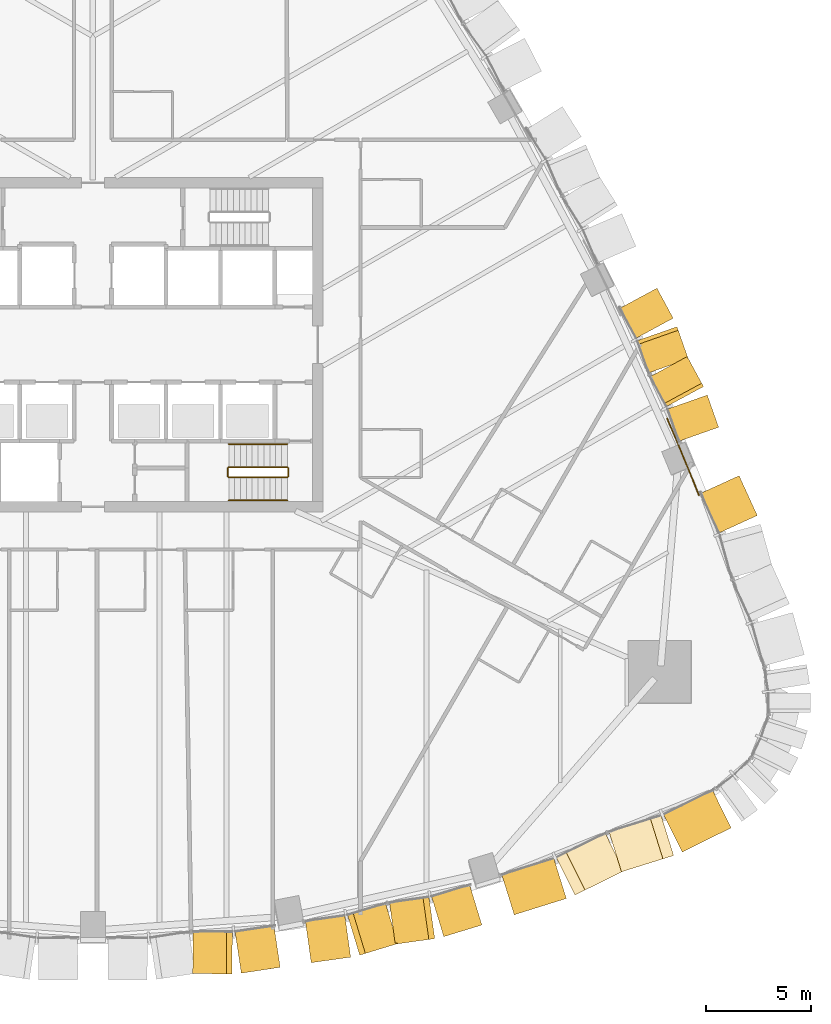
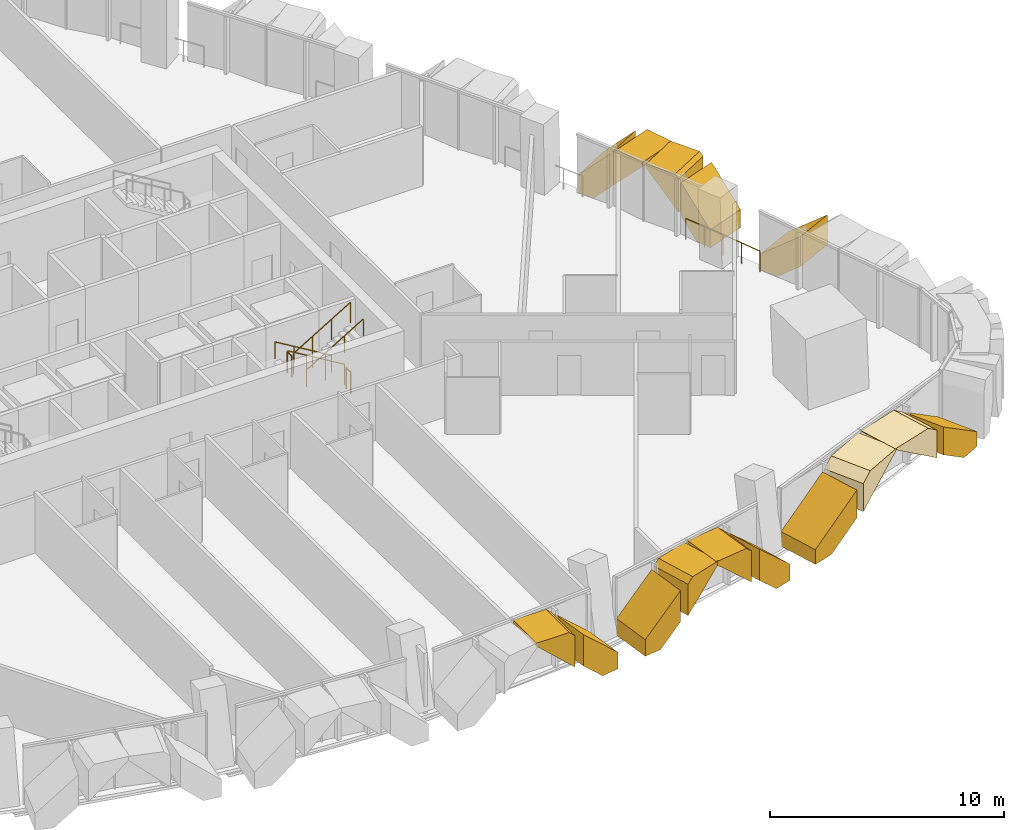
# One storey, part 20 of 23: 15 coverings, 7 railings.
"""IFC4 building model written with IfcOpenShell, lengths in metres."""

from ifc_helpers import new_model, si_unit, direction, frame, origin, origin_2d, place, context, subcontext, project, spatial, polyline, circle, outline, extrude, material, layer, layer_set, type_object, element, save


model = new_model("IFC4")

# Units and contexts
model_context = context("Model", 3, precision=1e-05, world=origin(), true_north=direction((0.0, 1.0)))
body_context = subcontext(model_context, "Body", "Model", "MODEL_VIEW")
ifc_project = project(units=[si_unit("LENGTHUNIT", "METRE"), si_unit("AREAUNIT", "SQUARE_METRE"), si_unit("VOLUMEUNIT", "CUBIC_METRE"), si_unit("PLANEANGLEUNIT", "RADIAN"), si_unit("MASSUNIT", "GRAM", prefix="KILO")], contexts=[model_context])

# Site, building, storey
site_placement = place(None, origin())
site = spatial("IfcSite", under=ifc_project, at=site_placement, CompositionType="ELEMENT")
building_placement = place(site_placement, origin())
building = spatial("IfcBuilding", under=site, at=building_placement, Name="Sierra Prisma Convention Tower", CompositionType="ELEMENT")
storey_placement = place(building_placement, frame((0.0, 0.0, 51.699951171875)))
storey = spatial("IfcBuildingStorey", under=building, at=storey_placement, Name="L08", CompositionType="ELEMENT", Elevation=51.699951171875)

# Coverings
ifc_material_1 = material(Name="Aluminium 6063-T6 bronze anodised", Category="aluminium")
ifc_layer = layer(ifc_material_1, 2.0)
ifc_layer_set = layer_set([ifc_layer], Name="Bronze crystal chevron frame")
covering_type = type_object("IfcCoveringType", Name="Bronze crystal chevron frame", PredefinedType="CLADDING", material=ifc_layer_set)
covering_1_placement = place(storey_placement, frame((4.7744140625, -30.073486328125, 2.97998046875), z_axis=(-0.006610033793, -0.999978151314, 6.593783e-05), x_axis=(-4.35851e-07, -6.5936389e-05, -0.999999997826)))
element("IfcCovering", 1, at=covering_1_placement, inside=storey, type_object=covering_type, Name="CW-2 chevron frame S4.2.1", PredefinedType="CLADDING", context=body_context, shape_type="SweptSolid", body=[
    extrude(outline(polyline([(0.0, 0.0), (0.15136718717094308, 8.013312184107456e-24), (1.8862304657534592, 1.8811447227413156), (0.2539062505519665, 1.8811447227413156), (-7.75512882839263e-09, 1.6059913391350362), (0.0, 0.0)])), origin(), (0.0, 0.0, -1.0), 2.0),
])
covering_2_placement = place(storey_placement, frame((8.957763671875, -29.77197265625, 0.0), z_axis=(0.149920700605, -0.988698023727, 3.7523139e-05), x_axis=(-5.625495e-06, 3.7099053e-05, 0.999999999296)))
element("IfcCovering", 2, at=covering_2_placement, inside=storey, type_object=covering_type, Name="CW-2 chevron frame S4.2.2", PredefinedType="CLADDING", context=body_context, shape_type="SweptSolid", body=[
    extrude(outline(polyline([(0.0, 0.0), (0.8715820306364124, 7.382586967035772e-22), (2.6062011714114575, 1.8811181541447954), (0.9738769538106025, 1.8811181541447954), (-3.5254647844872825e-09, 0.8250121813619046), (0.0, 0.0)])), origin(), (0.0, 0.0, -1.0), 2.0),
])
covering_3_placement = place(storey_placement, frame((10.439453125, -29.551513671875, 0.0), z_axis=(0.138166251373, -0.990409050253, 1.2551574e-05), x_axis=(0.990409050331, 0.138166251384, -4.72e-10)))
element("IfcCovering", 3, at=covering_3_placement, inside=storey, type_object=covering_type, Name="CW-2 chevron frame S5.1.1", PredefinedType="CLADDING", context=body_context, shape_type="SweptSolid", body=[
    extrude(outline(polyline([(0.0, 0.0), (0.8307169525799681, 2.117582368135751e-22), (1.9047446164574389, 0.9790039072265686), (1.904744615690779, 2.602539063348681), (-4.0915422160436747e-10, 0.8664550780567485), (0.0, 0.0)])), origin(), (0.0, 0.0, -1.0), 2.0),
])
covering_4_placement = place(storey_placement, frame((12.759033203125, -29.192626953125, 2.72119140625), z_axis=(0.291355212986, -0.956614938135, 1.697988e-06), x_axis=(4.94718e-07, -1.62432e-06, -0.999999999999)))
element("IfcCovering", 4, at=covering_4_placement, inside=storey, type_object=covering_type, Name="CW-2 chevron frame S5.1.2", PredefinedType="CLADDING", context=body_context, shape_type="SweptSolid", body=[
    extrude(outline(polyline([(0.0, 0.0), (1.6237792968726592, -8.596216022015917e-23), (-0.11230468750058424, 1.9046551959057154), (-0.2587890625003731, 1.9046551959057154), (-0.25878906250547706, 0.284053184411174), (0.0, 0.0)])), origin(), (0.0, 0.0, -1.0), 2.0),
])
covering_5_placement = place(storey_placement, frame((14.459716796875, -28.66455078125, 2.97998046875), z_axis=(0.138170286185, -0.990408487297, -1.7498073e-05), x_axis=(-2.417714e-06, 1.733024e-05, -0.999999999847)))
element("IfcCovering", 5, at=covering_5_placement, inside=storey, type_object=covering_type, Name="CW-2 chevron frame S5.2.1", PredefinedType="CLADDING", context=body_context, shape_type="SweptSolid", body=[
    extrude(outline(polyline([(0.0, 0.0), (0.14648437497757452, -6.203854594147708e-23), (1.882568359166032, 1.904744616953994), (0.25878906253961836, 1.904744616953994), (-5.420238547552506e-10, 1.6205194211270588), (0.0, 0.0)])), origin(), (0.0, 0.0, -1.0), 2.0),
])
covering_6_placement = place(storey_placement, frame((18.601318359375, -27.750732421875, 0.0), z_axis=(0.291449744574, -0.956586141294, 2.5937207e-05), x_axis=(-7.559392e-06, 2.4811173e-05, 0.999999999664)))
element("IfcCovering", 6, at=covering_6_placement, inside=storey, type_object=covering_type, Name="CW-2 chevron frame S5.2.2", PredefinedType="CLADDING", context=body_context, shape_type="SweptSolid", body=[
    extrude(outline(polyline([(0.0, 0.0), (0.866455077833551, 0.0), (2.602539062283199, 1.9049598829105046), (0.9790039065793069, 1.9049598829105046), (-1.675112812113858e-09, 0.8307631927911939), (0.0, 0.0)])), origin(), (0.0, 0.0, -1.0), 2.0),
])
covering_7_placement = place(storey_placement, frame((20.1474609375, -27.2607421875, 0.0), z_axis=(0.298063401418, -0.954546073991, 3.6925932e-05), x_axis=(0.954546074642, 0.298063401621, -2.985e-09)))
element("IfcCovering", 7, at=covering_7_placement, inside=storey, type_object=covering_type, Name="CW-2 chevron frame S6.1.1", PredefinedType="CLADDING", context=body_context, shape_type="SweptSolid", body=[
    extrude(outline(polyline([(0.0, 0.0), (1.011018278969593, 0.0), (2.611129635536901, 1.0817871179070193), (2.6111296312130166, 2.5302734450444957), (-2.283285092744067e-09, 0.7648925776035251), (0.0, 0.0)])), origin(), (0.0, 0.0, -1.0), 2.0),
])
covering_8_placement = place(storey_placement, frame((23.051513671875, -26.317626953125, 2.6181640625), z_axis=(0.443762835752, -0.896144264535, 5.2403261e-05), x_axis=(2.325462e-05, -4.6960882e-05, -0.999999998627)))
element("IfcCovering", 8, at=covering_8_placement, inside=storey, type_object=covering_type, Name="CW-2 chevron frame S6.1.2", PredefinedType="CLADDING", context=body_context, shape_type="SweptSolid", body=[
    extrude(outline(polyline([(0.0, 0.0), (1.4484863261361547, -4.907662574277113e-21), (-0.31713867243313715, 2.6110217442549515), (-0.3618164067467924, 2.6110217442549515), (-0.3618164108471728, 0.535109516050584), (0.0, 0.0)])), origin(), (0.0, 0.0, -1.0), 2.0),
])
covering_9_placement = place(storey_placement, frame((27.7685546875, -24.4267578125, 1.169677734375), z_axis=(0.298065473874, -0.954545422864, -9.4726929e-05), x_axis=(2.8234827e-05, -9.0421157e-05, 0.999999995513)))
element("IfcCovering", 9, at=covering_9_placement, inside=storey, type_object=covering_type, Name="CW-2 chevron frame S6.2.1", PredefinedType="CLADDING", context=body_context, shape_type="SweptSolid", body=[
    extrude(outline(polyline([(0.0, 0.0), (1.4484863216262276, 0.0), (1.8103027428979983, 0.5351181285106226), (1.8103027294995517, 2.611129638846765), (1.7656249953250025, 2.611129638846765), (0.0, 0.0)])), origin(), (0.0, 0.0, -1.0), 2.0),
])
covering_10_placement = place(storey_placement, frame((30.520263671875, -23.103271484375, 0.0), z_axis=(0.443732413084, -0.896159330464, 6.76376e-07), x_axis=(-3.0013e-07, 6.06141e-07, 1.0)))
element("IfcCovering", 10, at=covering_10_placement, inside=storey, type_object=covering_type, Name="CW-2 chevron frame S6.2.2", PredefinedType="CLADDING", context=body_context, shape_type="SweptSolid", body=[
    extrude(outline(polyline([(0.0, 0.0), (0.764892578124825, 0.0), (2.530273437499916, 2.611240531005681), (1.0817871093752476, 2.611240531005681), (-1.0125872241906634e-12, 1.0112606469562404), (0.0, 0.0)])), origin(), (0.0, 0.0, -1.0), 2.0),
])
covering_11_placement = place(storey_placement, frame((30.89990234375, -6.265380859375, 0.0), z_axis=(0.909690362978, 0.415287180013, -4.0273932e-05), x_axis=(3.6636808e-05, 1.6725248e-05, 0.999999999189)))
element("IfcCovering", 11, at=covering_11_placement, inside=storey, type_object=covering_type, Name="CW-2 chevron frame NE1.2.2", PredefinedType="CLADDING", context=body_context, shape_type="SweptSolid", body=[
    extrude(outline(polyline([(0.0, 0.0), (0.8312988274508211, -1.4082749928715296e-21), (2.5771484370556954, 2.0933648647968055), (1.0146484383228749, 2.0933648647968055), (-3.882716800411047e-09, 0.8767459971095173), (0.0, 0.0)])), origin(), (0.0, 0.0, -1.0), 2.0),
])
covering_12_placement = place(storey_placement, frame((29.92041015625, -3.94970703125, 0.0), z_axis=(0.943179427365, 0.332283866229, -6.254389e-06), x_axis=(-0.332283866235, 0.943179427384, -1.36e-10)))
element("IfcCovering", 12, at=covering_12_placement, inside=storey, type_object=covering_type, Name="CW-2 chevron frame NE2.1.1", PredefinedType="CLADDING", context=body_context, shape_type="SweptSolid", body=[
    extrude(outline(polyline([(0.0, 0.0), (0.7677506889247435, 0.0), (1.6333323293269628, 0.9106445314905081), (1.6333323290894572, 2.652587890831438), (-1.2735759710486933e-10, 0.9340820312317306), (0.0, 0.0)])), origin(), (0.0, 0.0, -1.0), 2.0),
])
covering_13_placement = place(storey_placement, frame((29.197998046875, -2.00390625, 2.789306640625), z_axis=(0.879551295617, 0.475804074973, -2.4844036e-05), x_axis=(-2.1851604e-05, -1.1820893e-05, -0.999999999691)))
element("IfcCovering", 13, at=covering_13_placement, inside=storey, type_object=covering_type, Name="CW-2 chevron frame NE2.1.2", PredefinedType="CLADDING", context=body_context, shape_type="SweptSolid", body=[
    extrude(outline(polyline([(0.0, 0.0), (1.7419433588374136, 0.0), (0.02343749987507802, 1.6332432119421634), (-0.19067382818384443, 1.6332432119421634), (-0.19067382939117244, 0.1812270104327572), (0.0, 0.0)])), origin(), (0.0, 0.0, -1.0), 2.0),
])
covering_14_placement = place(storey_placement, frame((28.47119140625, -0.680908203125, 2.97998046875), z_axis=(0.943208672828, 0.332200837026, 5.8143114e-05), x_axis=(5.484109e-05, 1.9315191e-05, -0.99999999831)))
element("IfcCovering", 14, at=covering_14_placement, inside=storey, type_object=covering_type, Name="CW-2 chevron frame NE2.2.1", PredefinedType="CLADDING", context=body_context, shape_type="SweptSolid", body=[
    extrude(outline(polyline([(0.0, 0.0), (0.2141113277630853, -7.254373972090053e-22), (1.9326171848778726, 1.6330209443486394), (0.19067382844729808, 1.6330209443486394), (-6.61268097068484e-09, 1.4518765405052823), (0.0, 0.0)])), origin(), (0.0, 0.0, -1.0), 2.0),
])
covering_15_placement = place(storey_placement, frame((26.971923828125, 2.701171875, 0.0), z_axis=(0.879611948966, 0.475691937164, 1.2369078e-05), x_axis=(-1.0879988e-05, -5.88387e-06, 0.999999999924)))
element("IfcCovering", 15, at=covering_15_placement, inside=storey, type_object=covering_type, Name="CW-2 chevron frame NE2.2.2", PredefinedType="CLADDING", context=body_context, shape_type="SweptSolid", body=[
    extrude(outline(polyline([(0.0, 0.0), (0.9340820311785455, -7.91198255906971e-22), (2.652587890561408, 1.6331270635461055), (0.9106445313196616, 1.6331270635461055), (-4.0941604289320663e-10, 0.7677348117867403), (0.0, 0.0)])), origin(), (0.0, 0.0, -1.0), 2.0),
])

# Railings
ifc_material_2 = material(Name="Stainless steel", Category="steel")
railing_type_1 = type_object("IfcRailingType", Name="Exit stair handrail", PredefinedType="HANDRAIL", material=ifc_material_2)
railing_1_placement = place(storey_placement, frame((9.300048828125, -4.75, 0.168212890625)))
element("IfcRailing", 16, at=railing_1_placement, inside=storey, type_object=railing_type_1, Name="L08 S2 stair handrail 1", PredefinedType="HANDRAIL", context=body_context, shape_type="SweptSolid", body=[
    extrude(circle(Radius=0.02392578125, at=origin_2d()), frame((0.0, 0.0, 0.8759765625), z_axis=(-0.857242210791, 0.0, 0.514913383045), x_axis=(0.0, -1.0, 0.0)), (0.0, 0.0, 1.0), 3.266357421875),
    extrude(circle(Radius=0.02099609375, at=origin_2d()), origin(), (0.0, 0.0, 1.0), 0.851806640625),
    extrude(circle(Radius=0.02099609375, at=origin_2d()), frame((-0.933349609375, 0.0, 0.560546875)), (0.0, 0.0, 1.0), 0.851806640625),
    extrude(circle(Radius=0.02099609375, at=origin_2d()), frame((-1.86669921875, 0.0, 1.121337890625)), (0.0, 0.0, 1.0), 0.851806640625),
    extrude(circle(Radius=0.02099609375, at=origin_2d()), frame((-2.800048828125, 0.0, 1.681884765625)), (0.0, 0.0, 1.0), 0.851806640625),
])
railing_2_placement = place(storey_placement, frame((6.5, -7.449951171875, 2.018310546875)))
element("IfcRailing", 17, at=railing_2_placement, inside=storey, type_object=railing_type_1, Name="L08 S2 stair handrail 2", PredefinedType="HANDRAIL", context=body_context, shape_type="SweptSolid", body=[
    extrude(circle(Radius=0.02392578125, at=origin_2d()), frame((0.0, 0.0, 0.8759765625), z_axis=(0.857275202839, 0.0, 0.514858452973), x_axis=(0.0, 1.0, 0.0)), (0.0, 0.0, 1.0), 3.26611328125),
    extrude(circle(Radius=0.02099609375, at=origin_2d()), origin(), (0.0, 0.0, 1.0), 0.851806640625),
    extrude(circle(Radius=0.02099609375, at=origin_2d()), frame((0.933349609375, 0.0, 0.560546875)), (0.0, 0.0, 1.0), 0.851806640625),
    extrude(circle(Radius=0.02099609375, at=origin_2d()), frame((1.86669921875, 0.0, 1.12109375)), (0.0, 0.0, 1.0), 0.851806640625),
    extrude(circle(Radius=0.02099609375, at=origin_2d()), frame((2.800048828125, 0.0, 1.681640625)), (0.0, 0.0, 1.0), 0.851806640625),
])
ifc_material_3 = material(Name="Bronze anodised aluminium", Category="aluminium")
railing_type_2 = type_object("IfcRailingType", Name="Facade guard 1100", PredefinedType="GUARDRAIL", material=ifc_material_3)
railing_3_placement = place(storey_placement, frame((28.98193359375, -7.2138671875, 0.0)))
element("IfcRailing", 18, at=railing_3_placement, inside=storey, type_object=railing_type_2, Name="Facade guard", PredefinedType="GUARDRAIL", context=body_context, shape_type="SweptSolid", body=[
    extrude(circle(Radius=0.02392578125, at=origin_2d()), frame((0.0, 0.0, 1.076171875), z_axis=(-0.370417049319, 0.928865549783, 0.0), x_axis=(-0.928865549783, -0.370417049319, 0.0)), (0.0, 0.0, 1.0), 0.99462890625),
    extrude(circle(Radius=0.02392578125, at=origin_2d()), frame((-0.368408203125, 0.923828125, 1.076171875), z_axis=(-0.380381387203, 0.924829714201, 0.0), x_axis=(-0.924829714201, -0.380381387203, 0.0)), (0.0, 0.0, 1.0), 1.0),
    extrude(circle(Radius=0.02392578125, at=origin_2d()), frame((-0.748779296875, 1.8486328125, 1.076171875), z_axis=(-0.383673963579, 0.923468618672, 0.0), x_axis=(-0.923468618672, -0.383673963579, 0.0)), (0.0, 0.0, 1.0), 0.99462890625),
    extrude(circle(Radius=0.02392578125, at=origin_2d()), frame((-1.13037109375, 2.76708984375, 1.076171875), z_axis=(-0.393005822228, 0.919535982817, 0.0), x_axis=(-0.919535982817, -0.393005822228, 0.0)), (0.0, 0.0, 1.0), 1.000244140625),
    extrude(circle(Radius=0.02099609375, at=origin_2d()), origin(), (0.0, 0.0, 1.0), 1.052001953125),
    extrude(circle(Radius=0.02099609375, at=origin_2d()), frame((-0.368408203125, 0.923828125, 0.0)), (0.0, 0.0, 1.0), 1.052001953125),
    extrude(circle(Radius=0.02099609375, at=origin_2d()), frame((-0.748779296875, 1.8486328125, 0.0)), (0.0, 0.0, 1.0), 1.052001953125),
    extrude(circle(Radius=0.02099609375, at=origin_2d()), frame((-1.13037109375, 2.76708984375, 0.0)), (0.0, 0.0, 1.0), 1.052001953125),
    extrude(circle(Radius=0.02099609375, at=origin_2d()), frame((-1.5234375, 3.686767578125, 0.0)), (0.0, 0.0, 1.0), 1.052001953125),
])
ifc_material_4 = material(Name="Stainless steel", Category="steel")
railing_type_3 = type_object("IfcRailingType", Name="Stair guard 1100", PredefinedType="GUARDRAIL", material=ifc_material_4)
railing_4_placement = place(storey_placement, frame((9.300048828125, -5.85009765625, 0.168212890625)))
element("IfcRailing", 19, at=railing_4_placement, inside=storey, type_object=railing_type_3, Name="L08 S2 stair guard 1", PredefinedType="GUARDRAIL", context=body_context, shape_type="SweptSolid", body=[
    extrude(circle(Radius=0.02392578125, at=origin_2d()), frame((0.0, 0.0, 1.076171875), z_axis=(-0.857242210791, 0.0, 0.514913383045), x_axis=(0.0, -1.0, 0.0)), (0.0, 0.0, 1.0), 3.266357421875),
    extrude(circle(Radius=0.02099609375, at=origin_2d()), origin(), (0.0, 0.0, 1.0), 1.052001953125),
    extrude(circle(Radius=0.02099609375, at=origin_2d()), frame((-0.933349609375, 0.0, 0.560546875)), (0.0, 0.0, 1.0), 1.052001953125),
    extrude(circle(Radius=0.02099609375, at=origin_2d()), frame((-1.86669921875, 0.0, 1.121337890625)), (0.0, 0.0, 1.0), 1.052001953125),
    extrude(circle(Radius=0.02099609375, at=origin_2d()), frame((-2.800048828125, 0.0, 1.681884765625)), (0.0, 0.0, 1.0), 1.052001953125),
])
railing_5_placement = place(storey_placement, frame((6.449951171875, -5.89990234375, 1.85009765625)))
element("IfcRailing", 20, at=railing_5_placement, inside=storey, type_object=railing_type_3, Name="L08 S2 stair guard 2", PredefinedType="GUARDRAIL", context=body_context, shape_type="SweptSolid", body=[
    extrude(circle(Radius=0.02392578125, at=origin_2d()), frame((0.0, 0.0, 1.076171875), z_axis=(0.0, -1.0, 0.0), x_axis=(1.0, 0.0, 0.0)), (0.0, 0.0, 1.0), 0.400146484375),
    extrude(circle(Radius=0.02099609375, at=origin_2d()), origin(), (0.0, 0.0, 1.0), 1.052001953125),
    extrude(circle(Radius=0.02099609375, at=origin_2d()), frame((0.0, -0.400146484375, 0.0)), (0.0, 0.0, 1.0), 1.052001953125),
])
railing_6_placement = place(storey_placement, frame((6.5, -6.35009765625, 2.018310546875)))
element("IfcRailing", 21, at=railing_6_placement, inside=storey, type_object=railing_type_3, Name="L08 S2 stair guard 3", PredefinedType="GUARDRAIL", context=body_context, shape_type="SweptSolid", body=[
    extrude(circle(Radius=0.02392578125, at=origin_2d()), frame((0.0, 0.0, 1.076171875), z_axis=(0.857275202839, 0.0, 0.514858452973), x_axis=(0.0, 1.0, 0.0)), (0.0, 0.0, 1.0), 3.26611328125),
    extrude(circle(Radius=0.02099609375, at=origin_2d()), origin(), (0.0, 0.0, 1.0), 1.052001953125),
    extrude(circle(Radius=0.02099609375, at=origin_2d()), frame((0.933349609375, 0.0, 0.560546875)), (0.0, 0.0, 1.0), 1.052001953125),
    extrude(circle(Radius=0.02099609375, at=origin_2d()), frame((1.86669921875, 0.0, 1.12109375)), (0.0, 0.0, 1.0), 1.052001953125),
    extrude(circle(Radius=0.02099609375, at=origin_2d()), frame((2.800048828125, 0.0, 1.681640625)), (0.0, 0.0, 1.0), 1.052001953125),
])
railing_7_placement = place(storey_placement, frame((9.35009765625, -5.89990234375, 0.0)))
element("IfcRailing", 22, at=railing_7_placement, inside=storey, type_object=railing_type_3, Name="L08 S2 stair guard 4", PredefinedType="GUARDRAIL", context=body_context, shape_type="SweptSolid", body=[
    extrude(circle(Radius=0.02392578125, at=origin_2d()), frame((0.0, 0.0, 1.076171875), z_axis=(0.0, -1.0, 0.0), x_axis=(1.0, 0.0, 0.0)), (0.0, 0.0, 1.0), 0.400146484375),
    extrude(circle(Radius=0.02099609375, at=origin_2d()), origin(), (0.0, 0.0, 1.0), 1.052001953125),
    extrude(circle(Radius=0.02099609375, at=origin_2d()), frame((0.0, -0.400146484375, 0.0)), (0.0, 0.0, 1.0), 1.052001953125),
])

save(model, "model.ifc")
